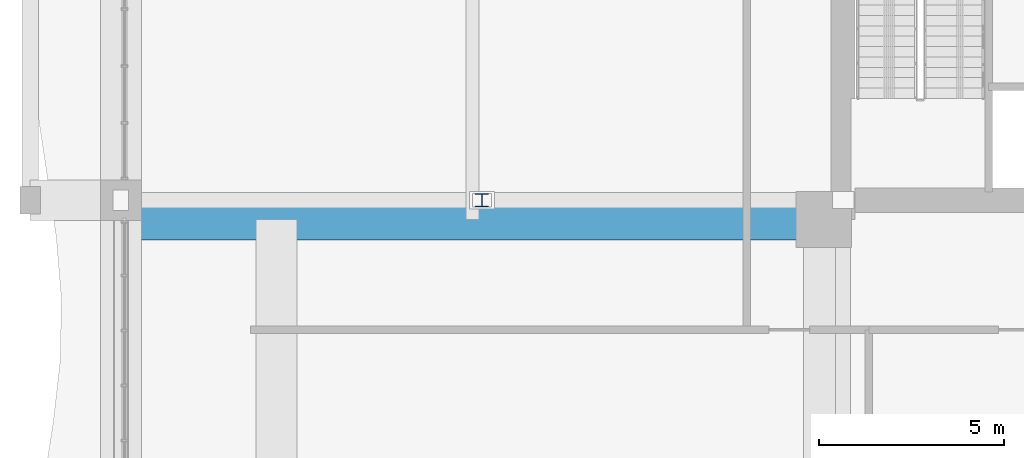
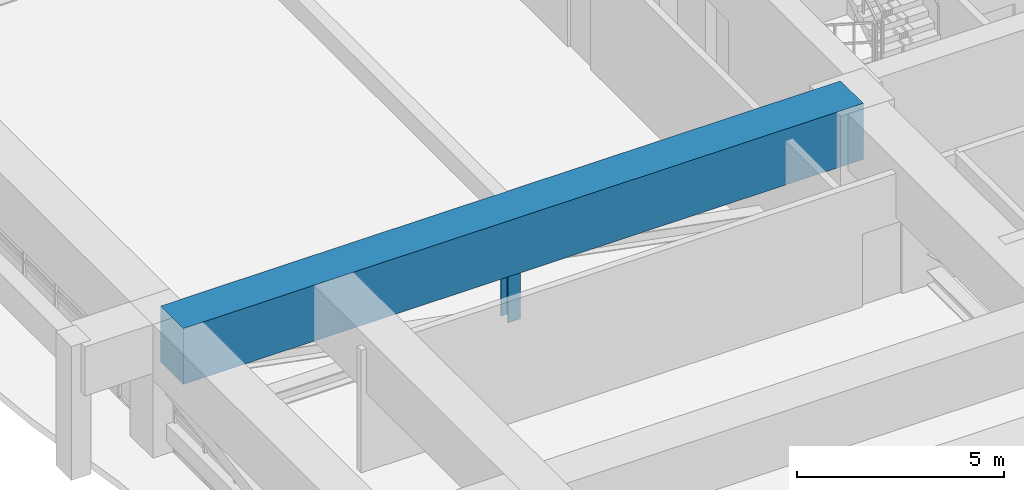
# One storey, part 7 of 35: 1 beam, 1 member.
"""IFC4 building model written with IfcOpenShell, lengths in metres."""

from ifc_helpers import new_model, si_unit, direction, frame, origin, origin_2d, place, context, subcontext, project, spatial, rectangle, i_section, extrude, source, transform, mapped, material, material_profile, profile_set, type_object, element, save


model = new_model("IFC4")

# Units and contexts
model_context = context("Model", 3, precision=1e-05, world=origin(), true_north=direction((0.0, 1.0)))
body_context = subcontext(model_context, "Body", "Model", "MODEL_VIEW")
ifc_project = project(units=[si_unit("LENGTHUNIT", "METRE"), si_unit("AREAUNIT", "SQUARE_METRE"), si_unit("VOLUMEUNIT", "CUBIC_METRE"), si_unit("PLANEANGLEUNIT", "RADIAN"), si_unit("MASSUNIT", "GRAM", prefix="KILO")], contexts=[model_context])

# Site, building, storey
site_placement = place(None, origin())
site = spatial("IfcSite", under=ifc_project, at=site_placement, CompositionType="ELEMENT")
building_placement = place(site_placement, origin())
building = spatial("IfcBuilding", under=site, at=building_placement, Name="Saelheon Loggia Tower", CompositionType="ELEMENT")
storey_placement = place(building_placement, frame((0.0, 0.0, 70.39990234375)))
storey = spatial("IfcBuildingStorey", under=building, at=storey_placement, Name="L22", CompositionType="ELEMENT", Elevation=70.39990234375)

# Beam
ifc_material_1 = material(Name="Concrete C50/60", Category="concrete")
ifc_material_profile_1 = material_profile(ifc_material_1, rectangle(XDim=1.10009765625, YDim=1.64990234375, at=origin_2d()), Name="RC-1100x1650")
ifc_profile_set_1 = profile_set([ifc_material_profile_1], Name="Concrete C50/60")
beam_type = type_object("IfcBeamType", Name="Beam_MegaTransfer_RC1100x1650", PredefinedType="BEAM", material=ifc_profile_set_1)
shared_shape_1 = source(origin(), body_context, "Body", "SweptSolid", [
    extrude(rectangle(XDim=1.10009765625, YDim=1.64990234375, at=origin_2d()), origin(), (0.0, 0.0, 1.0), 18.97998046875),
])
beam_placement = place(storey_placement, frame((30.97998046875, 17.47998046875, 3.125), z_axis=(-1.0, 0.0, 0.0), x_axis=(0.0, -1.0, 0.0)))
element("IfcBeam", 1, at=beam_placement, inside=storey, type_object=beam_type, Name="L22 Radial Floor Girder RAD-SW-W", PredefinedType="BEAM", context=body_context, shape_type="MappedRepresentation", body=[
    mapped(shared_shape_1, transform((0.0, 0.0, 0.0), scale=1.0)),
])

# Member
ifc_material_2 = material(Name="Steel SM355", Category="steel")
ifc_material_profile_2 = material_profile(ifc_material_2, i_section(OverallWidth=0.35009765625, OverallDepth=0.35009765625, WebThickness=0.011962890625, FlangeThickness=0.01904296875, at=origin_2d()), Name="H-350x350x12x19")
ifc_profile_set_2 = profile_set([ifc_material_profile_2], Name="Steel SM355")
member_type = type_object("IfcMemberType", Name="Outrigger_Post_H350", PredefinedType="POST", material=ifc_profile_set_2)
shared_shape_2 = source(origin(), body_context, "Body", "SweptSolid", [
    extrude(i_section(OverallWidth=0.35009765625, OverallDepth=0.35009765625, WebThickness=0.011962890625, FlangeThickness=0.01904296875, at=origin_2d()), origin(), (0.0, 0.0, 1.0), 1.849853515625),
])
member_placement = place(storey_placement, frame((21.75, 18.0, 0.22021484375), z_axis=(0.0, 0.0, 1.0), x_axis=(1.0, 0.0, 0.0)))
element("IfcMember", 2, at=member_placement, inside=storey, type_object=member_type, Name="L22 Outrigger Web Post SW-W", PredefinedType="POST", context=body_context, shape_type="MappedRepresentation", body=[
    mapped(shared_shape_2, transform((0.0, 0.0, 0.0), scale=1.0)),
])

save(model, "model.ifc")
